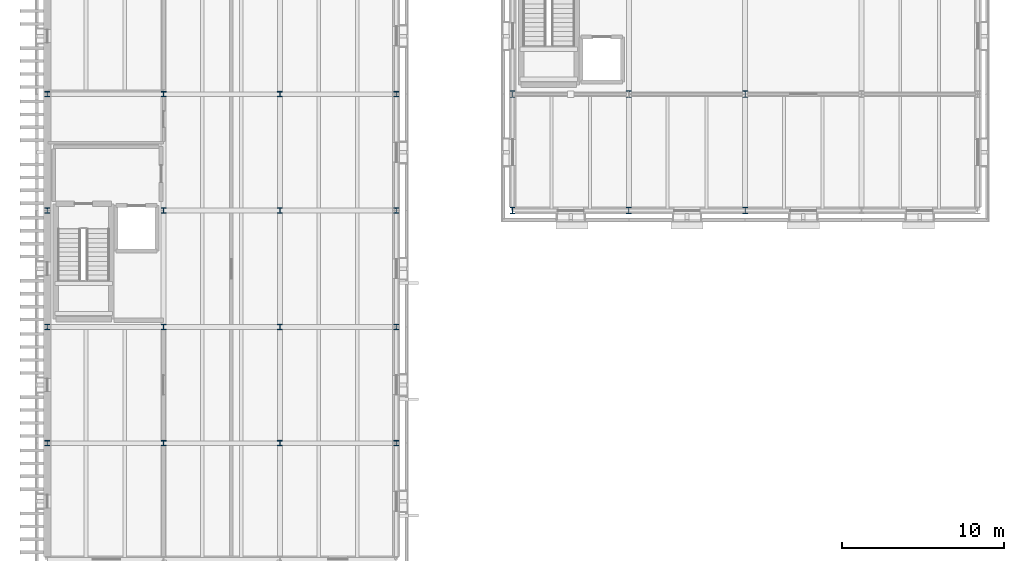
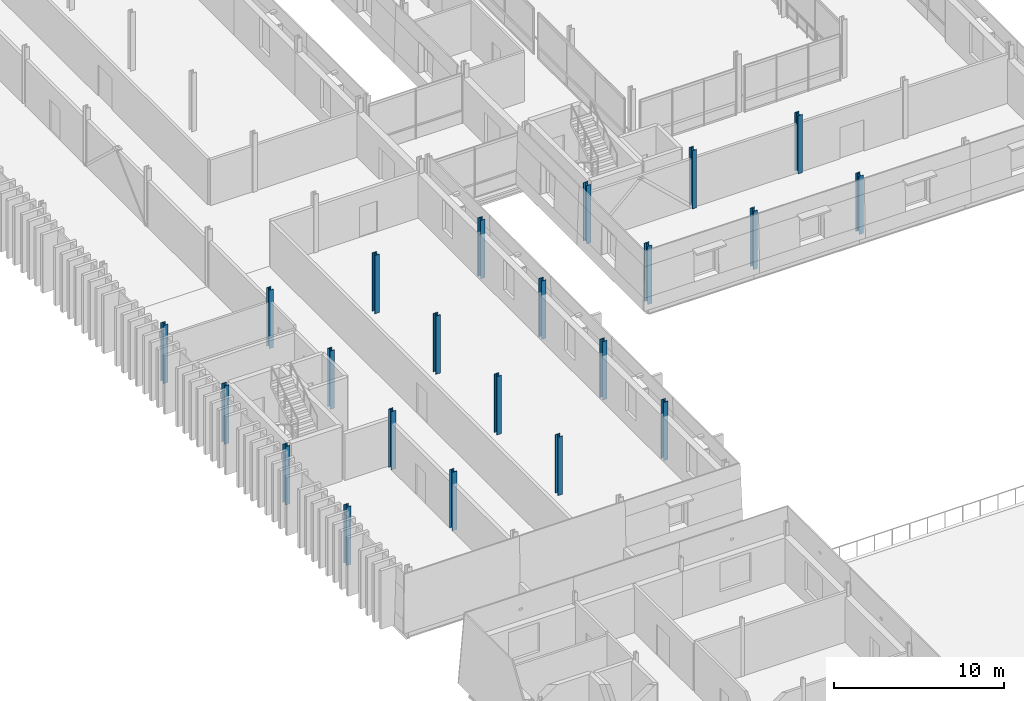
# One storey, part 2 of 115: 22 columns.
"""IFC4 building model written with IfcOpenShell, lengths in metres."""

import ifcopenshell
import ifcopenshell.guid

model = None  # the IFC model being written
_history = None  # IfcOwnerHistory: only IFC2X3 demands one
_inside = {}  # id of a spatial element -> (the spatial element, [elements in it])
_under = {}  # id of a project, library or spatial element -> (it, [spatial elements below it])
_declared = {}  # id of a project -> (the project, [libraries it declares])
_typed = {}  # id of a type object -> (the type object, [elements of that type])
_made_of = {}  # id of a material, layer set ... -> (it, [elements and type objects made of it])


def new_model(schema):
    """Start an empty IFC model of exactly this schema.

    Asked for "IFC4X3", IfcOpenShell would pick the latest addendum, in which some entities
    have other attributes; the version numbers below select the first issue.
    IFC2X3 requires an IfcOwnerHistory on every rooted entity: one is made here for all.
    """
    global model, _history
    if schema == "IFC4X3":
        model = ifcopenshell.file(schema_version=(4, 3, 0, 0))
    else:
        model = ifcopenshell.file(schema=schema)
    _inside.clear()
    _under.clear()
    _declared.clear()
    _typed.clear()
    _made_of.clear()
    _history = None
    if model.schema == "IFC2X3":
        org = make("IfcOrganization", Name="unknown")
        user = make(
            "IfcPersonAndOrganization",
            ThePerson=make("IfcPerson", FamilyName="unknown"),
            TheOrganization=org,
        )
        app = make(
            "IfcApplication",
            ApplicationDeveloper=org,
            Version="unknown",
            ApplicationFullName="unknown",
            ApplicationIdentifier="unknown",
        )
        _history = make(
            "IfcOwnerHistory",
            OwningUser=user,
            OwningApplication=app,
            ChangeAction="ADDED",
            CreationDate=0,
        )
    return model


def make(cls, **values):
    """One entity of the class cls with the attributes given. An attribute that is None is left unset."""
    return model.create_entity(
        cls, **{name: value for name, value in values.items() if value is not None}
    )


def rooted(cls, **values):
    """An entity with a GlobalId (a new one), such as an element, a storey or a relation."""
    return make(cls, GlobalId=ifcopenshell.guid.new(), OwnerHistory=_history, **values)


def si_unit(unit_type, name, prefix=None):
    """IfcSIUnit, for example si_unit("LENGTHUNIT", "METRE", prefix="MILLI")."""
    return make("IfcSIUnit", UnitType=unit_type, Prefix=prefix, Name=name)


def assignment(units):
    """IfcUnitAssignment: the units of a project."""
    return None if units is None else make("IfcUnitAssignment", Units=units)


def point(xyz):
    """IfcCartesianPoint."""
    return None if xyz is None else make("IfcCartesianPoint", Coordinates=xyz)


def direction(xyz):
    """IfcDirection."""
    return None if xyz is None else make("IfcDirection", DirectionRatios=xyz)


def frame(location, z_axis=None, x_axis=None):
    """IfcAxis2Placement3D, a coordinate frame: its origin and axes. An axis left out is left unset."""
    return make(
        "IfcAxis2Placement3D",
        Location=point(location),
        Axis=direction(z_axis),
        RefDirection=direction(x_axis),
    )


def frame_2d(location, x_axis=None):
    """IfcAxis2Placement2D, a coordinate frame in the plane: its origin and x axis."""
    return make(
        "IfcAxis2Placement2D", Location=point(location), RefDirection=direction(x_axis)
    )


def origin():
    """The frame at (0, 0, 0) with its axes left unset."""
    return frame((0.0, 0.0, 0.0))


def origin_2d():
    """The frame at (0, 0) in the plane with its x axis left unset."""
    return frame_2d((0.0, 0.0))


def place(relative_to, where):
    """IfcLocalPlacement: puts the frame where relative to a parent placement (None: the world)."""
    return make(
        "IfcLocalPlacement", PlacementRelTo=relative_to, RelativePlacement=where
    )


def context(
    kind, dimensions, precision=None, world=None, true_north=None, identifier=None
):
    """IfcGeometricRepresentationContext, for example the 3D "Model" context."""
    return make(
        "IfcGeometricRepresentationContext",
        ContextIdentifier=identifier,
        ContextType=kind,
        CoordinateSpaceDimension=dimensions,
        Precision=precision,
        WorldCoordinateSystem=world,
        TrueNorth=true_north,
    )


def subcontext(parent, identifier, kind, view, scale=None):
    """IfcGeometricRepresentationSubContext, for example "Body" below "Model"."""
    return make(
        "IfcGeometricRepresentationSubContext",
        ContextIdentifier=identifier,
        ContextType=kind,
        ParentContext=parent,
        TargetScale=scale,
        TargetView=view,
    )


def project(units=None, contexts=None):
    """IfcProject with its units and contexts."""
    return rooted(
        "IfcProject",
        Name="project",
        RepresentationContexts=contexts,
        UnitsInContext=assignment(units),
    )


def spatial(cls, under=None, at=None, **own):
    """A site, building, storey or space (cls), placed at a placement, below another one or the project."""
    s = rooted(cls, ObjectPlacement=at, **own)
    if under is not None:
        _under.setdefault(under.id(), (under, []))[1].append(s)
    return s


def profile(cls, at=None, kind="AREA", **sizes):
    """A parametric profile (cls). Its sizes go by their IFC names, for example OverallWidth=200.0."""
    return make(cls, ProfileType=kind, Position=at, **sizes)


def i_section(**sizes):
    """IfcIShapeProfileDef."""
    return profile("IfcIShapeProfileDef", **sizes)


def extrude(swept, where, along, depth):
    """IfcExtrudedAreaSolid: the profile swept, set in the frame where, extruded along a direction by depth."""
    return make(
        "IfcExtrudedAreaSolid",
        SweptArea=swept,
        Position=where,
        ExtrudedDirection=direction(along),
        Depth=depth,
    )


def shape(context_of_items, identifier, shape_type, items):
    """IfcShapeRepresentation: the items that make up one representation, for example the "Body"."""
    return make(
        "IfcShapeRepresentation",
        ContextOfItems=context_of_items,
        RepresentationIdentifier=identifier,
        RepresentationType=shape_type,
        Items=items,
    )


def material(Name=None, Category=None):
    """IfcMaterial."""
    return make("IfcMaterial", Name=Name, Category=Category)


def material_profile(
    of_material, cross_section, Name=None, Category=None, Priority=None
):
    """IfcMaterialProfile: a cross section and its material."""
    return make(
        "IfcMaterialProfile",
        Name=Name,
        Material=of_material,
        Profile=cross_section,
        Priority=Priority,
        Category=Category,
    )


def profile_set(profiles, Name=None, composite=None):
    """IfcMaterialProfileSet."""
    return make(
        "IfcMaterialProfileSet",
        Name=Name,
        MaterialProfiles=profiles,
        CompositeProfile=composite,
    )


def made_of(thing, what):
    """Note that an element or type object is made of a material, layer set ...; save() writes the relation."""
    if what is not None:
        _made_of.setdefault(what.id(), (what, []))[1].append(thing)
    return thing


def type_object(cls, material=None, **own):
    """A type object (cls), such as IfcWallType, which elements share."""
    return made_of(rooted(cls, **own), material)


def element(
    cls,
    number,
    at=None,
    inside=None,
    cuts=None,
    type_object=None,
    material=None,
    context=None,
    identifier="Body",
    shape_type=None,
    held_by="IfcProductDefinitionShape",
    body=None,
    shapes=None,
    **own,
):
    """One element of the class cls, such as IfcWall. Its Tag is "e" and its number.

    at: its placement. inside: the storey or other place that contains it. cuts: it is an
    opening in that element (IfcRelVoidsElement). A single representation is given by context,
    identifier, shape_type and body (its items); several are given by shapes. held_by: the class
    of the entity that holds the representations. save() writes the other relations.
    """
    e = rooted(cls, Tag="e%d" % number, ObjectPlacement=at, **own)
    if body is not None:
        shapes = [shape(context, identifier, shape_type, body)]
    if shapes is not None:
        e.Representation = make(held_by, Representations=shapes)
    if inside is not None:
        _inside.setdefault(inside.id(), (inside, []))[1].append(e)
    if cuts is not None:
        rooted(
            "IfcRelVoidsElement", RelatingBuildingElement=cuts, RelatedOpeningElement=e
        )
    if type_object is not None:
        _typed.setdefault(type_object.id(), (type_object, []))[1].append(e)
    return made_of(e, material)


def aggregate(whole, parts):
    """IfcRelAggregates: a whole, such as a stair, and the parts it consists of."""
    return rooted("IfcRelAggregates", RelatingObject=whole, RelatedObjects=parts)


def save(model, path):
    """Write the relations noted so far, then the file.

    IfcRelAggregates (storeys below a building ...), IfcRelContainedInSpatialStructure (elements
    in a storey), IfcRelDefinesByType, IfcRelAssociatesMaterial and IfcRelDeclares: one each for
    every whole, place, type object, material and project.
    """
    for whole, parts in _under.values():
        aggregate(whole, parts)
    for where, things in _inside.values():
        rooted(
            "IfcRelContainedInSpatialStructure",
            RelatedElements=things,
            RelatingStructure=where,
        )
    for kind, things in _typed.values():
        rooted("IfcRelDefinesByType", RelatedObjects=things, RelatingType=kind)
    for what, things in _made_of.values():
        rooted("IfcRelAssociatesMaterial", RelatedObjects=things, RelatingMaterial=what)
    for by, libraries in _declared.values():
        rooted("IfcRelDeclares", RelatingContext=by, RelatedDefinitions=libraries)
    model.write(path)


model = new_model("IFC4")

# Units and contexts
model_context = context("Model", 3, precision=1e-05, world=origin(), true_north=direction((0.0, 1.0)))
body_context = subcontext(model_context, "Body", "Model", "MODEL_VIEW")
ifc_project = project(units=[si_unit("LENGTHUNIT", "METRE"), si_unit("AREAUNIT", "SQUARE_METRE"), si_unit("VOLUMEUNIT", "CUBIC_METRE"), si_unit("PLANEANGLEUNIT", "RADIAN"), si_unit("MASSUNIT", "GRAM", prefix="KILO")], contexts=[model_context])

# Site, building, storey
site_placement = place(None, origin())
site = spatial("IfcSite", under=ifc_project, at=site_placement, CompositionType="ELEMENT")
building_placement = place(site_placement, origin())
building = spatial("IfcBuilding", under=site, at=building_placement, Name="Narikvali Park Central Library", CompositionType="ELEMENT")
storey_placement = place(building_placement, frame((0.0, 0.0, 10.199951171875)))
storey = spatial("IfcBuildingStorey", under=building, at=storey_placement, Name="L02", CompositionType="ELEMENT", Elevation=10.199951171875)

# Columns
ifc_material = material(Name="Steel S355", Category="steel")
ifc_material_profile_1 = material_profile(ifc_material, i_section(OverallWidth=0.300048828125, OverallDepth=0.39990234375, WebThickness=0.013427734375, FlangeThickness=0.02392578125, FilletRadius=0.027099609375, at=origin_2d()), Name="HEB 400")
ifc_profile_set_1 = profile_set([ifc_material_profile_1], Name="Steel S355")
column_type_1 = type_object("IfcColumnType", Name="Steel Column HEB400", PredefinedType="COLUMN", material=ifc_profile_set_1)
for number, where, z_axis, x_axis, name in (
    (1, (28.800048828125, 50.39990234375, 0.0), (0.0, 0.0, 1.0), (1.0, 0.0, 0.0), "V4 L02 Column (28.8,50.4)"),
    (2, (28.800048828125, 57.60009765625, 0.0), (0.0, 0.0, 1.0), (1.0, 0.0, 0.0), "V4 L02 Column (28.8,57.6)"),
    (3, (36.0, 50.39990234375, 0.0), (0.0, 0.0, 1.0), (1.0, 0.0, 0.0), "V4 L02 Column (36.0,50.4)"),
    (4, (36.0, 57.60009765625, 0.0), (0.0, 0.0, 1.0), (1.0, 0.0, 0.0), "V4 L02 Column (36.0,57.6)"),
    (5, (43.199951171875, 50.39990234375, 0.0), (0.0, 0.0, 1.0), (1.0, 0.0, 0.0), "V4 L02 Column (43.2,50.4)"),
    (6, (43.199951171875, 57.60009765625, 0.0), (0.0, 0.0, 1.0), (1.0, 0.0, 0.0), "V4 L02 Column (43.2,57.6)"),
):
    element("IfcColumn", number, at=place(storey_placement, frame(where, z_axis=z_axis, x_axis=x_axis)), inside=storey, type_object=column_type_1, Name=name, PredefinedType="COLUMN", context=body_context, shape_type="SweptSolid", body=[
        extrude(i_section(OverallWidth=0.300048828125, OverallDepth=0.39990234375, WebThickness=0.013427734375, FlangeThickness=0.02392578125, FilletRadius=0.027099609375, at=origin_2d()), origin(), (0.0, 0.0, 1.0), 4.199951171875),
    ])
ifc_material_profile_2 = material_profile(ifc_material, i_section(OverallWidth=0.31005859375, OverallDepth=0.340087890625, WebThickness=0.02099609375, FlangeThickness=0.034912109375, FilletRadius=0.027099609375, at=origin_2d()), Name="HEM 300")
ifc_profile_set_2 = profile_set([ifc_material_profile_2], Name="Steel S355")
column_type_2 = type_object("IfcColumnType", Name="Steel Column HEM300", PredefinedType="COLUMN", material=ifc_profile_set_2)
for number, where, z_axis, x_axis, name in (
    (7, (0.0, 36.0, 0.0), (0.0, 0.0, 1.0), (1.0, 0.0, 0.0), "V5 L02 Column (0.0,36.0)"),
    (8, (0.0, 43.199951171875, 0.0), (0.0, 0.0, 1.0), (1.0, 0.0, 0.0), "V5 L02 Column (0.0,43.2)"),
    (9, (0.0, 50.39990234375, 0.0), (0.0, 0.0, 1.0), (1.0, 0.0, 0.0), "V5 L02 Column (0.0,50.4)"),
    (10, (0.0, 57.60009765625, 0.0), (0.0, 0.0, 1.0), (1.0, 0.0, 0.0), "V5 L02 Column (0.0,57.6)"),
    (11, (7.199951171875, 36.0, 0.0), (0.0, 0.0, 1.0), (1.0, 0.0, 0.0), "V5 L02 Column (7.2,36.0)"),
    (12, (7.199951171875, 43.199951171875, 0.0), (0.0, 0.0, 1.0), (1.0, 0.0, 0.0), "V5 L02 Column (7.2,43.2)"),
    (13, (7.199951171875, 50.39990234375, 0.0), (0.0, 0.0, 1.0), (1.0, 0.0, 0.0), "V5 L02 Column (7.2,50.4)"),
    (14, (7.199951171875, 57.60009765625, 0.0), (0.0, 0.0, 1.0), (1.0, 0.0, 0.0), "V5 L02 Column (7.2,57.6)"),
    (15, (14.39990234375, 36.0, 0.0), (0.0, 0.0, 1.0), (1.0, 0.0, 0.0), "V5 L02 Column (14.4,36.0)"),
    (16, (14.39990234375, 43.199951171875, 0.0), (0.0, 0.0, 1.0), (1.0, 0.0, 0.0), "V5 L02 Column (14.4,43.2)"),
    (17, (14.39990234375, 50.39990234375, 0.0), (0.0, 0.0, 1.0), (1.0, 0.0, 0.0), "V5 L02 Column (14.4,50.4)"),
    (18, (14.39990234375, 57.60009765625, 0.0), (0.0, 0.0, 1.0), (1.0, 0.0, 0.0), "V5 L02 Column (14.4,57.6)"),
    (19, (21.60009765625, 36.0, 0.0), (0.0, 0.0, 1.0), (1.0, 0.0, 0.0), "V5 L02 Column (21.6,36.0)"),
    (20, (21.60009765625, 43.199951171875, 0.0), (0.0, 0.0, 1.0), (1.0, 0.0, 0.0), "V5 L02 Column (21.6,43.2)"),
    (21, (21.60009765625, 50.39990234375, 0.0), (0.0, 0.0, 1.0), (1.0, 0.0, 0.0), "V5 L02 Column (21.6,50.4)"),
    (22, (21.60009765625, 57.60009765625, 0.0), (0.0, 0.0, 1.0), (1.0, 0.0, 0.0), "V5 L02 Column (21.6,57.6)"),
):
    element("IfcColumn", number, at=place(storey_placement, frame(where, z_axis=z_axis, x_axis=x_axis)), inside=storey, type_object=column_type_2, Name=name, PredefinedType="COLUMN", context=body_context, shape_type="SweptSolid", body=[
        extrude(i_section(OverallWidth=0.31005859375, OverallDepth=0.340087890625, WebThickness=0.02099609375, FlangeThickness=0.034912109375, FilletRadius=0.027099609375, at=origin_2d()), origin(), (0.0, 0.0, 1.0), 4.199951171875),
    ])

save(model, "model.ifc")
